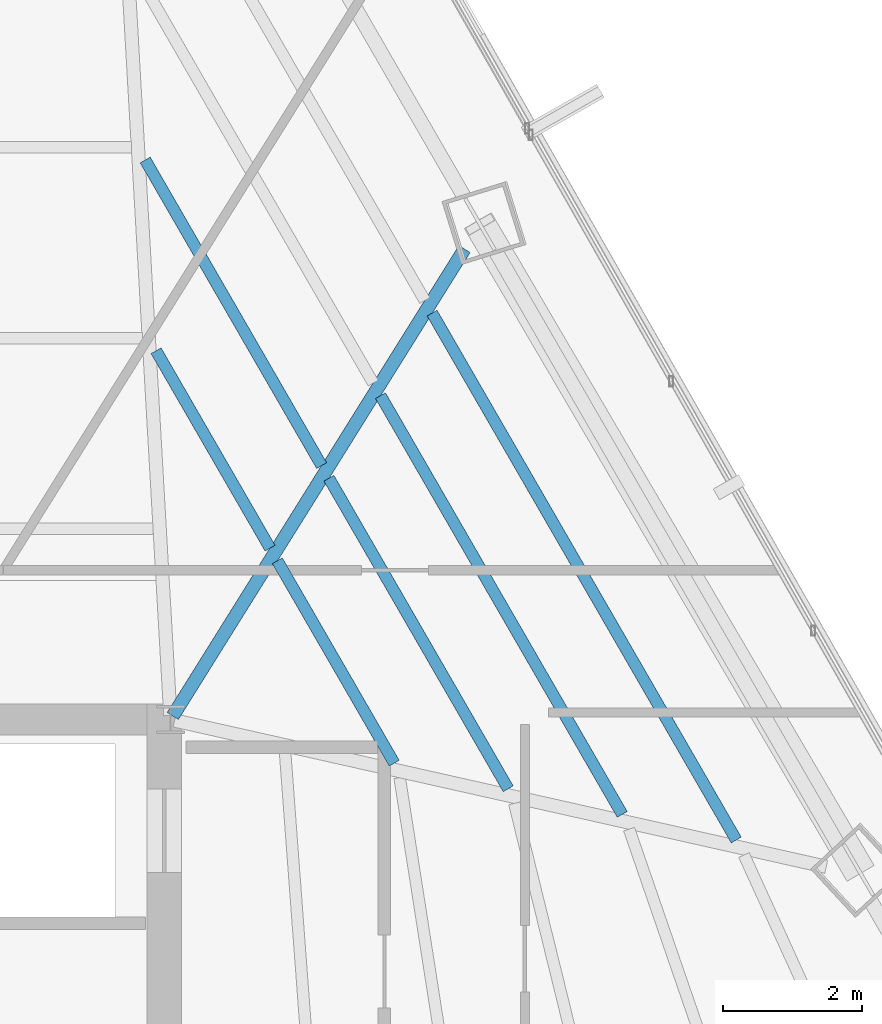
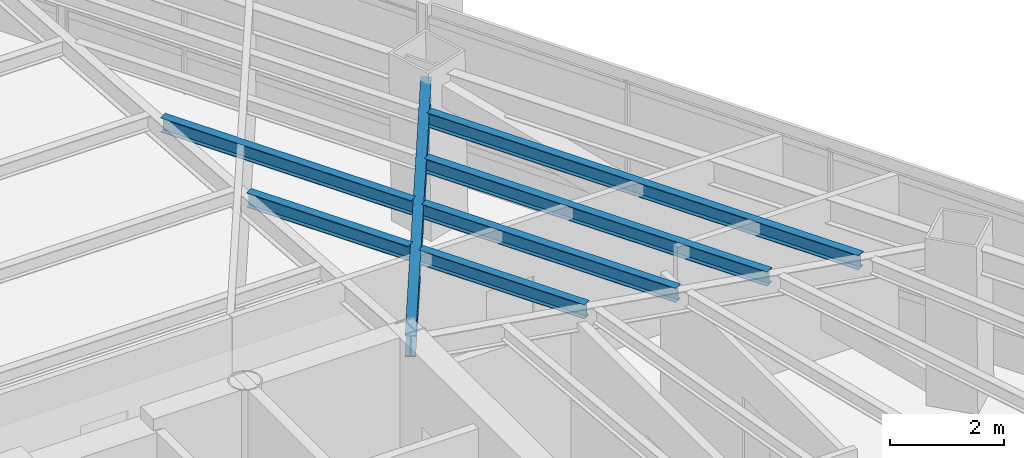
# One storey, part 24 of 39: 7 beams.
"""IFC4 building model written with IfcOpenShell, lengths in metres."""

from ifc_helpers import new_model, si_unit, direction, frame, origin, origin_2d, place, context, subcontext, project, spatial, i_section, extrude, source, transform, mapped, material, material_profile, profile_set, type_object, type_shapes, element, save


model = new_model("IFC4")

# Units and contexts
model_context = context("Model", 3, precision=1e-05, world=origin(), true_north=direction((0.0, 1.0)))
body_context = subcontext(model_context, "Body", "Model", "MODEL_VIEW")
ifc_project = project(units=[si_unit("LENGTHUNIT", "METRE"), si_unit("AREAUNIT", "SQUARE_METRE"), si_unit("VOLUMEUNIT", "CUBIC_METRE"), si_unit("PLANEANGLEUNIT", "RADIAN"), si_unit("MASSUNIT", "GRAM", prefix="KILO")], contexts=[model_context])

# Site, building, storey
site_placement = place(None, origin())
site = spatial("IfcSite", under=ifc_project, at=site_placement, CompositionType="ELEMENT")
building_placement = place(site_placement, origin())
building = spatial("IfcBuilding", under=site, at=building_placement, Name="Caelisora Broadcast Tower", CompositionType="ELEMENT")
storey_placement = place(building_placement, frame((0.0, 0.0, 139.10009765625)))
storey = spatial("IfcBuildingStorey", under=building, at=storey_placement, Name="L36", CompositionType="ELEMENT", Elevation=139.10009765625)

# Beams
ifc_material = material(Name="Steel Grade 350 (AS/NZS 3679.1)", Category="steel")
ifc_material_profile_1 = material_profile(ifc_material, i_section(OverallWidth=0.166015625, OverallDepth=0.30712890625, WebThickness=0.006591796875, FlangeThickness=0.01171875, at=origin_2d()), Name="Steel Grade 350 (AS/NZS 3679.1)")
ifc_profile_set_1 = profile_set([ifc_material_profile_1], Name="Steel Grade 350 (AS/NZS 3679.1)")
beam_type_1 = type_object("IfcBeamType", Name="SB03", PredefinedType="JOIST", material=ifc_profile_set_1)
shared_shape_1 = source(origin(), body_context, "Body", "SweptSolid", [
    extrude(i_section(OverallWidth=0.166015625, OverallDepth=0.30712890625, WebThickness=0.006591796875, FlangeThickness=0.01171875, at=origin_2d()), origin(), (0.0, 0.0, 1.0), 5.162353515625),
])
beam_1_placement = place(storey_placement, frame((50.361328125, 29.00390625, 3.246337890625), z_axis=(-0.49998445949, 0.866034375916, 0.0), x_axis=(-0.866034375916, -0.49998445949, 0.0)))
element("IfcBeam", 1, at=beam_1_placement, inside=storey, type_object=beam_type_1, Name="L36 beam SB03", PredefinedType="JOIST", context=body_context, shape_type="MappedRepresentation", body=[
    mapped(shared_shape_1, transform((0.0, 0.0, 0.0), scale=1.0)),
])
ifc_material_profile_2 = material_profile(ifc_material, i_section(OverallWidth=0.19091796875, OverallDepth=0.46044921875, WebThickness=0.010009765625, FlangeThickness=0.01611328125, at=origin_2d()), Name="Steel Grade 350 (AS/NZS 3679.1)")
ifc_profile_set_2 = profile_set([ifc_material_profile_2], Name="Steel Grade 350 (AS/NZS 3679.1)")
beam_type_2 = type_object("IfcBeamType", Name="PG06", PredefinedType="BEAM", material=ifc_profile_set_2)
shared_shape_2 = source(origin(), body_context, "Body", "SweptSolid", [
    extrude(i_section(OverallWidth=0.19091796875, OverallDepth=0.46044921875, WebThickness=0.010009765625, FlangeThickness=0.01611328125, at=origin_2d()), origin(), (0.0, 0.0, 1.0), 7.9287109375),
])
type_shapes(beam_type_2, [shared_shape_2])
beam_2_placement = place(storey_placement, frame((45.53173828125, 30.05078125, 3.169677734375), z_axis=(0.529835629496, 0.848100351206, 0.0), x_axis=(-0.848100351206, 0.529835629496, 0.0)))
element("IfcBeam", 2, at=beam_2_placement, inside=storey, type_object=beam_type_2, Name="L36 beam PG06", PredefinedType="BEAM", context=body_context, shape_type="MappedRepresentation", body=[
    mapped(shared_shape_2, transform((0.0, 0.0, 0.0), scale=1.0)),
])
shared_shape_3 = source(origin(), body_context, "Body", "SweptSolid", [
    extrude(i_section(OverallWidth=0.166015625, OverallDepth=0.30712890625, WebThickness=0.006591796875, FlangeThickness=0.01171875, at=origin_2d()), origin(), (0.0, 0.0, 1.0), 3.28173828125),
])
beam_3_placement = place(storey_placement, frame((46.9326171875, 32.46826171875, 3.246337890625), z_axis=(-0.500059447817, 0.865991078851, 0.0), x_axis=(-0.865991078851, -0.500059447817, 0.0)))
element("IfcBeam", 3, at=beam_3_placement, inside=storey, type_object=beam_type_1, Name="L36 beam SB03", PredefinedType="JOIST", context=body_context, shape_type="MappedRepresentation", body=[
    mapped(shared_shape_3, transform((0.0, 0.0, 0.0), scale=1.0)),
])
shared_shape_4 = source(origin(), body_context, "Body", "SweptSolid", [
    extrude(i_section(OverallWidth=0.166015625, OverallDepth=0.30712890625, WebThickness=0.006591796875, FlangeThickness=0.01171875, at=origin_2d()), origin(), (0.0, 0.0, 1.0), 5.080078125),
])
beam_4_placement = place(storey_placement, frame((47.675048828125, 33.65673828125, 3.246337890625), z_axis=(-0.500005339912, 0.866022320763, 0.0), x_axis=(-0.866022320763, -0.500005339912, 0.0)))
element("IfcBeam", 4, at=beam_4_placement, inside=storey, type_object=beam_type_1, Name="L36 beam SB03", PredefinedType="JOIST", context=body_context, shape_type="MappedRepresentation", body=[
    mapped(shared_shape_4, transform((0.0, 0.0, 0.0), scale=1.0)),
])
shared_shape_5 = source(origin(), body_context, "Body", "SweptSolid", [
    extrude(i_section(OverallWidth=0.166015625, OverallDepth=0.30712890625, WebThickness=0.006591796875, FlangeThickness=0.01171875, at=origin_2d()), origin(), (0.0, 0.0, 1.0), 3.364013671875),
])
beam_5_placement = place(storey_placement, frame((48.7197265625, 29.37255859375, 3.246337890625), z_axis=(-0.500026084466, 0.866010343387, 0.0), x_axis=(-0.866010343387, -0.500026084466, 0.0)))
element("IfcBeam", 5, at=beam_5_placement, inside=storey, type_object=beam_type_1, Name="L36 beam SB03", PredefinedType="JOIST", context=body_context, shape_type="MappedRepresentation", body=[
    mapped(shared_shape_5, transform((0.0, 0.0, 0.0), scale=1.0)),
])
shared_shape_6 = source(origin(), body_context, "Body", "SweptSolid", [
    extrude(i_section(OverallWidth=0.166015625, OverallDepth=0.30712890625, WebThickness=0.006591796875, FlangeThickness=0.01171875, at=origin_2d()), origin(), (0.0, 0.0, 1.0), 6.96044921875),
])
beam_6_placement = place(storey_placement, frame((52.0029296875, 28.63525390625, 3.246337890625), z_axis=(-0.500005836264, 0.866022034189, 0.0), x_axis=(-0.866022034189, -0.500005836264, 0.0)))
element("IfcBeam", 6, at=beam_6_placement, inside=storey, type_object=beam_type_1, Name="L36 beam SB03", PredefinedType="JOIST", context=body_context, shape_type="MappedRepresentation", body=[
    mapped(shared_shape_6, transform((0.0, 0.0, 0.0), scale=1.0)),
])
shared_shape_7 = source(origin(), body_context, "Body", "SweptSolid", [
    extrude(i_section(OverallWidth=0.166015625, OverallDepth=0.30712890625, WebThickness=0.006591796875, FlangeThickness=0.01171875, at=origin_2d()), origin(), (0.0, 0.0, 1.0), 8.75830078125),
])
type_shapes(beam_type_1, [shared_shape_1, shared_shape_3, shared_shape_4, shared_shape_5, shared_shape_6, shared_shape_7])
beam_7_placement = place(storey_placement, frame((53.64453125, 28.2666015625, 3.246337890625), z_axis=(-0.499997529631, 0.866026830048, 0.0), x_axis=(-0.866026830048, -0.499997529631, 0.0)))
element("IfcBeam", 7, at=beam_7_placement, inside=storey, type_object=beam_type_1, Name="L36 beam SB03", PredefinedType="JOIST", context=body_context, shape_type="MappedRepresentation", body=[
    mapped(shared_shape_7, transform((0.0, 0.0, 0.0), scale=1.0)),
])

save(model, "model.ifc")
